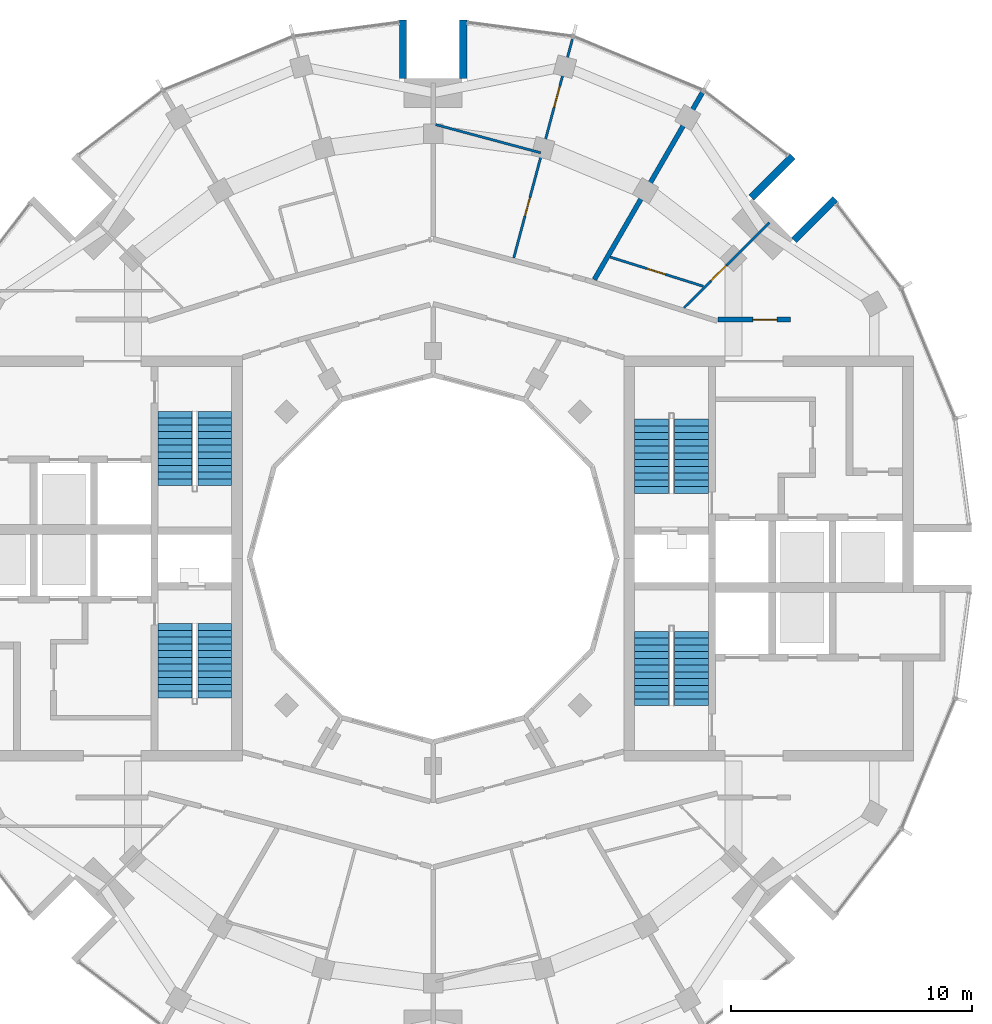
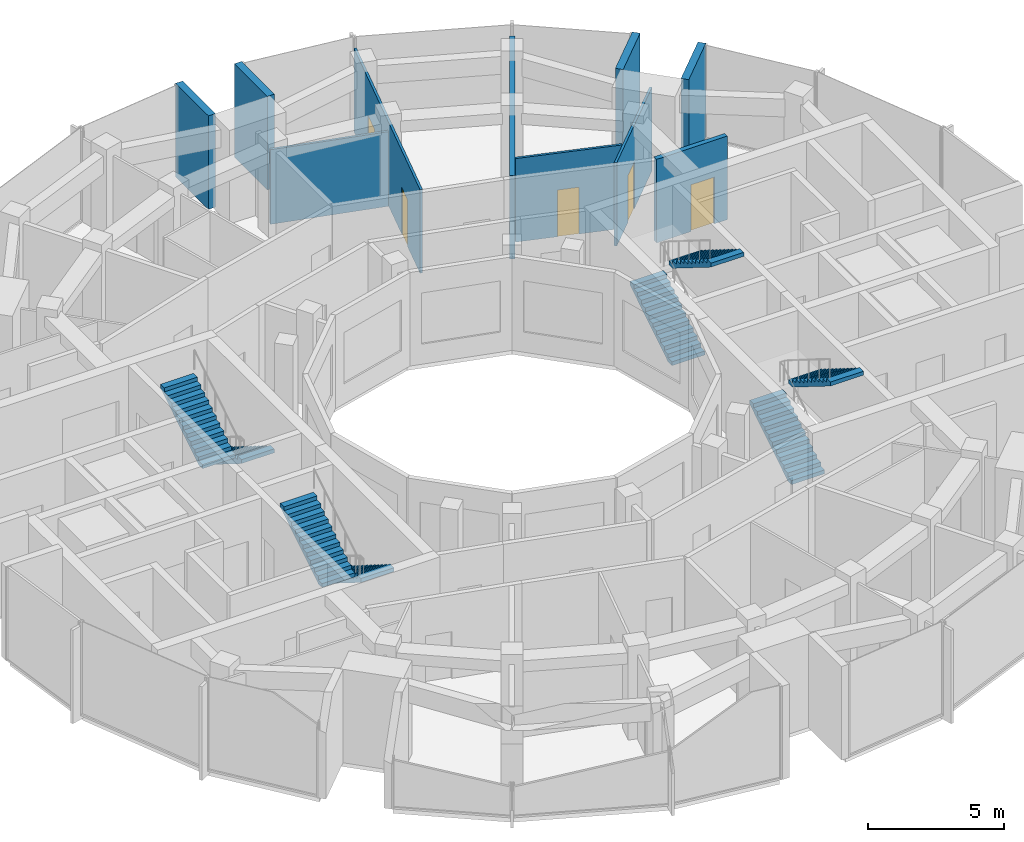
# One storey, part 12 of 14: 10 walls, 8 stair flights, 5 doors, 5 openings, 4 elements without a shape of their own.
"""IFC4 building model written with IfcOpenShell, lengths in metres."""

from ifc_helpers import new_model, si_unit, direction, frame, frame_2d, origin, place, context, subcontext, project, spatial, polyline, rectangle, outline, extrude, material, layer, layer_set, type_object, element, fill, aggregate, save


model = new_model("IFC4")

# Units and contexts
model_context = context("Model", 3, precision=1e-05, world=origin(), true_north=direction((0.0, 1.0)))
body_context = subcontext(model_context, "Body", "Model", "MODEL_VIEW")
ifc_project = project(units=[si_unit("LENGTHUNIT", "METRE"), si_unit("AREAUNIT", "SQUARE_METRE"), si_unit("VOLUMEUNIT", "CUBIC_METRE"), si_unit("PLANEANGLEUNIT", "RADIAN"), si_unit("MASSUNIT", "GRAM", prefix="KILO")], contexts=[model_context])

# Site, building, storey
site_placement = place(None, origin())
site = spatial("IfcSite", under=ifc_project, at=site_placement, CompositionType="ELEMENT")
building_placement = place(site_placement, origin())
building = spatial("IfcBuilding", under=site, at=building_placement, Name="Torre Brocal", CompositionType="ELEMENT")
storey_placement = place(building_placement, frame((0.0, 0.0, 305.10009765625)))
storey = spatial("IfcBuildingStorey", under=building, at=storey_placement, Name="L70", CompositionType="ELEMENT", Elevation=305.10009765625)

# Walls
ifc_material_1 = material(Name="Concrete C50", Category="concrete")
ifc_layer_1 = layer(ifc_material_1, 0.300048828125)
ifc_layer_set_1 = layer_set([ifc_layer_1], Name="Concrete C50")
wall_type_1 = type_object("IfcWallType", Name="NOTCH RETURN WALL 300 C50", PredefinedType="NOTDEFINED", material=ifc_layer_set_1)
for number, where, z_axis, x_axis, name in (
    (1, (94.955322265625, 88.1875, 0.0), (0.0, 0.0, 1.0), (0.707106781187, 0.707106781187, 0.0), "NOTCH RETURN WALL"),
    (2, (93.1875, 89.955322265625, 0.0), (0.0, 0.0, 1.0), (0.707106781187, 0.707106781187, 0.0), "NOTCH RETURN WALL"),
    (3, (81.25, 94.89990234375, 0.0), (0.0, 0.0, 1.0), (0.0, 1.0, 0.0), "NOTCH RETURN WALL"),
    (4, (78.75, 94.89990234375, 0.0), (0.0, 0.0, 1.0), (0.0, 1.0, 0.0), "NOTCH RETURN WALL"),
):
    element("IfcWall", number, at=place(storey_placement, frame(where, z_axis=z_axis, x_axis=x_axis)), inside=storey, type_object=wall_type_1, Name=name, PredefinedType="NOTDEFINED", context=body_context, shape_type="SweptSolid", body=[
        extrude(rectangle(XDim=2.415771484375, YDim=0.300048828125, at=frame_2d((1.2080078125, 0.0))), origin(), (0.0, 0.0, 1.0), 4.199951171875),
    ])

# Wall, openings, doors
ifc_material_2 = material(Name="Gypsum board", Category="Gypsum")
ifc_layer_2 = layer(ifc_material_2, 0.10009765625)
ifc_layer_set_2 = layer_set([ifc_layer_2], Name="Gypsum board")
wall_type_2 = type_object("IfcWallType", Name="PARTITION 100", PredefinedType="PARTITIONING", material=ifc_layer_set_2)
wall_1_placement = place(storey_placement, frame((83.3388671875, 87.45458984375, 0.0), z_axis=(0.0, 0.0, 1.0), x_axis=(0.258921222541, 0.965898442135, 0.0)))
wall_1 = element("IfcWall", 5, at=wall_1_placement, inside=storey, type_object=wall_type_2, Name="BATHROOM WALL", PredefinedType="PARTITIONING", context=body_context, shape_type="SweptSolid", body=[
    extrude(rectangle(XDim=9.40380859375, YDim=0.10009765625, at=frame_2d((4.701904296875, 0.0))), origin(), (0.0, 0.0, 1.0), 3.75),
])
opening_1_placement = place(wall_1_placement, frame((6.476318359375, 0.0, 0.0)))
opening_1 = element("IfcOpeningElement", 6, at=opening_1_placement, cuts=wall_1, Name="Opening N04-D05", PredefinedType="OPENING", context=body_context, shape_type="SweptSolid", body=[
    extrude(rectangle(XDim=0.89990234375, YDim=2.10009765625, at=frame_2d((0.449951171875, 1.050048828125))), frame((0.0, 0.06005859375, 0.0), z_axis=(0.0, -1.0, 0.0), x_axis=(1.0, 0.0, 0.0)), (0.0, 0.0, 1.0), 0.1201171875),
])
opening_2_placement = place(wall_1_placement, frame((1.79931640625, 0.0, 0.0)))
opening_2 = element("IfcOpeningElement", 7, at=opening_2_placement, cuts=wall_1, Name="Opening N04-D06", PredefinedType="OPENING", context=body_context, shape_type="SweptSolid", body=[
    extrude(rectangle(XDim=0.800048828125, YDim=2.10009765625, at=frame_2d((0.39990234375, 1.050048828125))), frame((0.0, 0.06005859375, 0.0), z_axis=(0.0, -1.0, 0.0), x_axis=(1.0, 0.0, 0.0)), (0.0, 0.0, 1.0), 0.1201171875),
])
ifc_material_3 = material(Name="Timber", Category="wood")
door_type_1 = type_object("IfcDoorType", Name="BATHROOM DOOR 800X2100", OperationType="SINGLE_SWING_LEFT", PredefinedType="DOOR", material=ifc_material_3)
door_1_placement = place(opening_2_placement, origin())
door_1 = element("IfcDoor", 8, at=door_1_placement, inside=storey, type_object=door_type_1, Name="N04-D06", OperationType="SINGLE_SWING_RIGHT", OverallHeight=2.10009765625, OverallWidth=0.800048828125, PredefinedType="DOOR", context=body_context, shape_type="SweptSolid", body=[
    extrude(rectangle(XDim=0.800048828125, YDim=2.10009765625, at=frame_2d((0.39990234375, 1.050048828125))), frame((0.0, 0.02490234375, 0.0), z_axis=(0.0, -1.0, 0.0), x_axis=(1.0, 0.0, 0.0)), (0.0, 0.0, 1.0), 0.050048828125),
])
fill(opening_2, door_1)
ifc_material_4 = material(Name="Timber", Category="wood")
door_type_2 = type_object("IfcDoorType", Name="ROOM DOOR 900X2100", OperationType="SINGLE_SWING_LEFT", PredefinedType="DOOR", material=ifc_material_4)
door_2_placement = place(opening_1_placement, origin())
door_2 = element("IfcDoor", 9, at=door_2_placement, inside=storey, type_object=door_type_2, Name="N04-D05", OperationType="SINGLE_SWING_RIGHT", OverallHeight=2.10009765625, OverallWidth=0.89990234375, PredefinedType="DOOR", context=body_context, shape_type="SweptSolid", body=[
    extrude(rectangle(XDim=0.89990234375, YDim=2.10009765625, at=frame_2d((0.449951171875, 1.050048828125))), frame((0.0, 0.02490234375, 0.0), z_axis=(0.0, -1.0, 0.0), x_axis=(1.0, 0.0, 0.0)), (0.0, 0.0, 1.0), 0.050048828125),
])
fill(opening_1, door_2)

# Wall, opening, door
wall_2_placement = place(storey_placement, frame((87.345458984375, 87.488037109375, 0.0), z_axis=(0.0, 0.0, 1.0), x_axis=(0.954151912322, -0.299322782647, 0.0)))
wall_2 = element("IfcWall", 10, at=wall_2_placement, inside=storey, type_object=wall_type_2, Name="BATHROOM WALL", PredefinedType="PARTITIONING", context=body_context, shape_type="SweptSolid", body=[
    extrude(rectangle(XDim=4.032470703125, YDim=0.10009765625, at=frame_2d((2.01611328125, 0.0))), origin(), (0.0, 0.0, 1.0), 3.75),
])
opening_3_placement = place(wall_2_placement, frame((1.59130859375, 0.0, 0.0)))
opening_3 = element("IfcOpeningElement", 11, at=opening_3_placement, cuts=wall_2, Name="Opening N04-D03", PredefinedType="OPENING", context=body_context, shape_type="SweptSolid", body=[
    extrude(rectangle(XDim=0.800048828125, YDim=2.10009765625, at=frame_2d((0.39990234375, 1.050048828125))), frame((0.0, 0.06005859375, 0.0), z_axis=(0.0, -1.0, 0.0), x_axis=(1.0, 0.0, 0.0)), (0.0, 0.0, 1.0), 0.1201171875),
])
door_3_placement = place(opening_3_placement, frame((0.800048828125, 0.0, 0.0), z_axis=(0.0, 0.0, 1.0), x_axis=(-1.0, 0.0, 0.0)))
door_3 = element("IfcDoor", 12, at=door_3_placement, inside=storey, type_object=door_type_1, Name="N04-D03", OperationType="SINGLE_SWING_LEFT", OverallHeight=2.10009765625, OverallWidth=0.800048828125, PredefinedType="DOOR", context=body_context, shape_type="SweptSolid", body=[
    extrude(rectangle(XDim=0.800048828125, YDim=2.10009765625, at=frame_2d((0.39990234375, 1.050048828125))), frame((0.0, 0.02490234375, 0.0), z_axis=(0.0, -1.0, 0.0), x_axis=(1.0, 0.0, 0.0)), (0.0, 0.0, 1.0), 0.050048828125),
])
fill(opening_3, door_3)

wall_3_placement = place(storey_placement, frame((90.397216796875, 85.392578125, 0.0), z_axis=(0.0, 0.0, 1.0), x_axis=(0.70720443438, 0.707009114505, 0.0)))
wall_3 = element("IfcWall", 13, at=wall_3_placement, inside=storey, type_object=wall_type_2, Name="BATHROOM WALL", PredefinedType="PARTITIONING", context=body_context, shape_type="SweptSolid", body=[
    extrude(rectangle(XDim=4.999755859375, YDim=0.10009765625, at=frame_2d((2.5, 0.0))), origin(), (0.0, 0.0, 1.0), 3.75),
])
opening_4_placement = place(wall_3_placement, frame((1.5751953125, 0.0, 0.0)))
opening_4 = element("IfcOpeningElement", 14, at=opening_4_placement, cuts=wall_3, Name="Opening N04-D02", PredefinedType="OPENING", context=body_context, shape_type="SweptSolid", body=[
    extrude(rectangle(XDim=0.89990234375, YDim=2.10009765625, at=frame_2d((0.449951171875, 1.050048828125))), frame((0.0, 0.06005859375, 0.0), z_axis=(0.0, -1.0, 0.0), x_axis=(1.0, 0.0, 0.0)), (0.0, 0.0, 1.0), 0.1201171875),
])
door_4_placement = place(opening_4_placement, frame((0.89990234375, 0.0, 0.0), z_axis=(0.0, 0.0, 1.0), x_axis=(-1.0, 0.0, 0.0)))
door_4 = element("IfcDoor", 15, at=door_4_placement, inside=storey, type_object=door_type_2, Name="N04-D02", OperationType="SINGLE_SWING_LEFT", OverallHeight=2.10009765625, OverallWidth=0.89990234375, PredefinedType="DOOR", context=body_context, shape_type="SweptSolid", body=[
    extrude(rectangle(XDim=0.89990234375, YDim=2.10009765625, at=frame_2d((0.449951171875, 1.050048828125))), frame((0.0, 0.02490234375, 0.0), z_axis=(0.0, -1.0, 0.0), x_axis=(1.0, 0.0, 0.0)), (0.0, 0.0, 1.0), 0.050048828125),
])
fill(opening_4, door_4)

# Walls
ifc_material_5 = material(Name="Gypsum board", Category="Gypsum")
ifc_layer_3 = layer(ifc_material_5, 0.10009765625)
ifc_layer_set_3 = layer_set([ifc_layer_3], Name="Gypsum board")
wall_type_3 = type_object("IfcWallType", Name="PARTITION 100 UNDER BEAM 850", PredefinedType="PARTITIONING", material=ifc_layer_set_3)
wall_4_placement = place(storey_placement, frame((80.106201171875, 92.98046875, 0.0), z_axis=(0.0, 0.0, 1.0), x_axis=(0.965835883926, -0.259154481575, 0.0)))
element("IfcWall", 16, at=wall_4_placement, inside=storey, type_object=wall_type_3, Name="BATHROOM WALL", PredefinedType="PARTITIONING", context=body_context, shape_type="SweptSolid", body=[
    extrude(rectangle(XDim=4.501220703125, YDim=0.10009765625, at=frame_2d((2.25048828125, 0.0))), origin(), (0.0, 0.0, 1.0), 3.349853515625),
])
ifc_material_6 = material(Name="Gypsum board", Category="Gypsum")
ifc_layer_4 = layer(ifc_material_6, 0.199951171875)
ifc_layer_set_4 = layer_set([ifc_layer_4], Name="Gypsum board")
wall_type_4 = type_object("IfcWallType", Name="PARTITION 200 EI60", PredefinedType="PARTITIONING", material=ifc_layer_set_4)
wall_5_placement = place(storey_placement, frame((86.680908203125, 86.56005859375, 0.0), z_axis=(0.0, 0.0, 1.0), x_axis=(0.500262593568, 0.865873742226, 0.0)))
element("IfcWall", 17, at=wall_5_placement, inside=storey, type_object=wall_type_4, Name="BATHROOM WALL", PredefinedType="PARTITIONING", context=body_context, shape_type="SweptSolid", body=[
    extrude(rectangle(XDim=8.946044921875, YDim=0.199951171875, at=frame_2d((4.47314453125, 0.0))), origin(), (0.0, 0.0, 1.0), 3.75),
])

# Wall, opening, door
wall_6_placement = place(storey_placement, frame((91.800048828125, 84.89990234375, 0.0), z_axis=(0.0, 0.0, 1.0), x_axis=(1.0, 0.0, 0.0)))
wall_6 = element("IfcWall", 18, at=wall_6_placement, inside=storey, type_object=wall_type_4, Name="FLAT ENTRANCE WALL", PredefinedType="PARTITIONING", context=body_context, shape_type="SweptSolid", body=[
    extrude(rectangle(XDim=3.0, YDim=0.199951171875, at=frame_2d((1.5, 0.0))), origin(), (0.0, 0.0, 1.0), 3.75),
])
opening_5_placement = place(wall_6_placement, frame((1.449951171875, 0.0, 0.0)))
opening_5 = element("IfcOpeningElement", 19, at=opening_5_placement, cuts=wall_6, Name="Opening N04-D01", PredefinedType="OPENING", context=body_context, shape_type="SweptSolid", body=[
    extrude(rectangle(XDim=1.0, YDim=2.10009765625, at=frame_2d((0.5, 1.050048828125))), frame((0.0, 0.10986328125, 0.0), z_axis=(0.0, -1.0, 0.0), x_axis=(1.0, 0.0, 0.0)), (0.0, 0.0, 1.0), 0.219970703125),
])
ifc_material_7 = material(Name="Timber", Category="wood")
door_type_3 = type_object("IfcDoorType", Name="FLAT ENTRY DOOR FD30S 1000X2100", OperationType="SINGLE_SWING_RIGHT", PredefinedType="DOOR", material=ifc_material_7)
door_5_placement = place(opening_5_placement, origin())
door_5 = element("IfcDoor", 20, at=door_5_placement, inside=storey, type_object=door_type_3, Name="N04-D01", OperationType="SINGLE_SWING_LEFT", OverallHeight=2.10009765625, OverallWidth=1.0, PredefinedType="DOOR", context=body_context, shape_type="SweptSolid", body=[
    extrude(rectangle(XDim=1.0, YDim=2.10009765625, at=frame_2d((0.5, 1.050048828125))), frame((0.0, 0.02490234375, 0.0), z_axis=(0.0, -1.0, 0.0), x_axis=(1.0, 0.0, 0.0)), (0.0, 0.0, 1.0), 0.050048828125),
])
fill(opening_5, door_5)

# Stair, stair flights
ifc_material_8 = material(Name="Concrete C50", Category="concrete")
stair_type = type_object("IfcStairType", Name="EXIT STAIR", PredefinedType="HALF_TURN_STAIR", material=ifc_material_8)
stair_1_placement = place(storey_placement, origin())
stair_1 = element("IfcStair", 21, at=stair_1_placement, inside=storey, type_object=stair_type, Name="EXIT STAIR ST1", PredefinedType="HALF_TURN_STAIR")
ifc_material_9 = material(Name="Concrete C50", Category="concrete")
ifc_layer_5 = layer(ifc_material_9, 0.14990234375)
ifc_layer_set_5 = layer_set([ifc_layer_5], Name="Concrete C50")
stair_flight_type = type_object("IfcStairFlightType", Name="STAIR FLIGHT", PredefinedType="STRAIGHT", material=ifc_layer_set_5)
stair_flight_1_placement = place(storey_placement, frame((89.050048828125, 77.699951171875, 0.0), z_axis=(0.0, 0.0, 1.0), x_axis=(0.0, 1.0, 0.0)))
stair_flight_1 = element("IfcStairFlight", 22, at=stair_flight_1_placement, type_object=stair_flight_type, Name="ST1 flight 1", NumberOfRisers=12, NumberOfTreads=11, PredefinedType="STRAIGHT", RiserHeight=0.175, TreadLength=0.28, context=body_context, shape_type="SweptSolid", body=[
    extrude(outline(polyline([(0.0, 0.0), (0.0, 0.175048828125), (0.280029296875, 0.175048828125), (0.280029296875, 0.35009765625), (0.56005859375, 0.35009765625), (0.56005859375, 0.52490234375), (0.840087890625, 0.52490234375), (0.840087890625, 0.699951171875), (1.1201171875, 0.699951171875), (1.1201171875, 0.875), (1.39990234375, 0.875), (1.39990234375, 1.050048828125), (1.679931640625, 1.050048828125), (1.679931640625, 1.22509765625), (1.9599609375, 1.22509765625), (1.9599609375, 1.39990234375), (2.239990234375, 1.39990234375), (2.239990234375, 1.574951171875), (2.52001953125, 1.574951171875), (2.52001953125, 1.75), (2.800048828125, 1.75), (2.800048828125, 1.925048828125), (3.080078125, 1.925048828125), (3.080078125, 2.10009765625), (3.080078125, 1.748291015625), (0.28271484375, 0.0), (0.0, 0.0)])), frame((0.0, 0.699951171875, 0.0), z_axis=(0.0, -1.0, 0.0), x_axis=(1.0, 0.0, 0.0)), (0.0, 0.0, 1.0), 1.39990234375),
])
stair_flight_2_placement = place(storey_placement, frame((90.699951171875, 80.780029296875, 2.099853515625), z_axis=(0.0, 0.0, 1.0), x_axis=(0.0, -1.0, 0.0)))
stair_flight_2 = element("IfcStairFlight", 23, at=stair_flight_2_placement, type_object=stair_flight_type, Name="ST1 flight 2", NumberOfRisers=12, NumberOfTreads=11, PredefinedType="STRAIGHT", RiserHeight=0.175, TreadLength=0.28, context=body_context, shape_type="SweptSolid", body=[
    extrude(outline(polyline([(0.0, 0.0), (0.0, 0.175048828125), (0.280029296875, 0.175048828125), (0.280029296875, 0.35009765625), (0.56005859375, 0.35009765625), (0.56005859375, 0.52490234375), (0.840087890625, 0.52490234375), (0.840087890625, 0.699951171875), (1.1201171875, 0.699951171875), (1.1201171875, 0.875), (1.39990234375, 0.875), (1.39990234375, 1.050048828125), (1.679931640625, 1.050048828125), (1.679931640625, 1.22509765625), (1.9599609375, 1.22509765625), (1.9599609375, 1.39990234375), (2.239990234375, 1.39990234375), (2.239990234375, 1.574951171875), (2.52001953125, 1.574951171875), (2.52001953125, 1.75), (2.800048828125, 1.75), (2.800048828125, 1.925048828125), (3.080078125, 1.925048828125), (3.080078125, 2.10009765625), (3.080078125, 1.748291015625), (0.28271484375, 0.0), (0.0, 0.0)])), frame((0.0, 0.699951171875, 0.0), z_axis=(0.0, -1.0, 0.0), x_axis=(1.0, 0.0, 0.0)), (0.0, 0.0, 1.0), 1.39990234375),
])
aggregate(stair_1, [stair_flight_1, stair_flight_2])

stair_2_placement = place(storey_placement, origin())
stair_2 = element("IfcStair", 24, at=stair_2_placement, inside=storey, type_object=stair_type, Name="EXIT STAIR ST2", PredefinedType="HALF_TURN_STAIR")
stair_flight_3_placement = place(storey_placement, frame((89.050048828125, 68.89990234375, 0.0), z_axis=(0.0, 0.0, 1.0), x_axis=(0.0, 1.0, 0.0)))
stair_flight_3 = element("IfcStairFlight", 25, at=stair_flight_3_placement, type_object=stair_flight_type, Name="ST2 flight 1", NumberOfRisers=12, NumberOfTreads=11, PredefinedType="STRAIGHT", RiserHeight=0.175, TreadLength=0.28, context=body_context, shape_type="SweptSolid", body=[
    extrude(outline(polyline([(0.0, 0.0), (0.0, 0.175048828125), (0.280029296875, 0.175048828125), (0.280029296875, 0.35009765625), (0.56005859375, 0.35009765625), (0.56005859375, 0.52490234375), (0.840087890625, 0.52490234375), (0.840087890625, 0.699951171875), (1.1201171875, 0.699951171875), (1.1201171875, 0.875), (1.39990234375, 0.875), (1.39990234375, 1.050048828125), (1.679931640625, 1.050048828125), (1.679931640625, 1.22509765625), (1.9599609375, 1.22509765625), (1.9599609375, 1.39990234375), (2.239990234375, 1.39990234375), (2.239990234375, 1.574951171875), (2.52001953125, 1.574951171875), (2.52001953125, 1.75), (2.800048828125, 1.75), (2.800048828125, 1.925048828125), (3.080078125, 1.925048828125), (3.080078125, 2.10009765625), (3.080078125, 1.748291015625), (0.28271484375, 0.0), (0.0, 0.0)])), frame((0.0, 0.699951171875, 0.0), z_axis=(0.0, -1.0, 0.0), x_axis=(1.0, 0.0, 0.0)), (0.0, 0.0, 1.0), 1.39990234375),
])
stair_flight_4_placement = place(storey_placement, frame((90.699951171875, 71.97998046875, 2.099853515625), z_axis=(0.0, 0.0, 1.0), x_axis=(0.0, -1.0, 0.0)))
stair_flight_4 = element("IfcStairFlight", 26, at=stair_flight_4_placement, type_object=stair_flight_type, Name="ST2 flight 2", NumberOfRisers=12, NumberOfTreads=11, PredefinedType="STRAIGHT", RiserHeight=0.175, TreadLength=0.28, context=body_context, shape_type="SweptSolid", body=[
    extrude(outline(polyline([(0.0, 0.0), (0.0, 0.175048828125), (0.280029296875, 0.175048828125), (0.280029296875, 0.35009765625), (0.56005859375, 0.35009765625), (0.56005859375, 0.52490234375), (0.840087890625, 0.52490234375), (0.840087890625, 0.699951171875), (1.1201171875, 0.699951171875), (1.1201171875, 0.875), (1.39990234375, 0.875), (1.39990234375, 1.050048828125), (1.679931640625, 1.050048828125), (1.679931640625, 1.22509765625), (1.9599609375, 1.22509765625), (1.9599609375, 1.39990234375), (2.239990234375, 1.39990234375), (2.239990234375, 1.574951171875), (2.52001953125, 1.574951171875), (2.52001953125, 1.75), (2.800048828125, 1.75), (2.800048828125, 1.925048828125), (3.080078125, 1.925048828125), (3.080078125, 2.10009765625), (3.080078125, 1.748291015625), (0.28271484375, 0.0), (0.0, 0.0)])), frame((0.0, 0.699951171875, 0.0), z_axis=(0.0, -1.0, 0.0), x_axis=(1.0, 0.0, 0.0)), (0.0, 0.0, 1.0), 1.39990234375),
])
aggregate(stair_2, [stair_flight_3, stair_flight_4])

stair_3_placement = place(storey_placement, origin())
stair_3 = element("IfcStair", 27, at=stair_3_placement, inside=storey, type_object=stair_type, Name="EXIT STAIR ST3", PredefinedType="HALF_TURN_STAIR")
stair_flight_5_placement = place(storey_placement, frame((70.949951171875, 72.300048828125, 0.0), z_axis=(0.0, 0.0, 1.0), x_axis=(0.0, -1.0, 0.0)))
stair_flight_5 = element("IfcStairFlight", 28, at=stair_flight_5_placement, type_object=stair_flight_type, Name="ST3 flight 1", NumberOfRisers=12, NumberOfTreads=11, PredefinedType="STRAIGHT", RiserHeight=0.175, TreadLength=0.28, context=body_context, shape_type="SweptSolid", body=[
    extrude(outline(polyline([(0.0, 0.0), (0.0, 0.175048828125), (0.280029296875, 0.175048828125), (0.280029296875, 0.35009765625), (0.56005859375, 0.35009765625), (0.56005859375, 0.52490234375), (0.840087890625, 0.52490234375), (0.840087890625, 0.699951171875), (1.1201171875, 0.699951171875), (1.1201171875, 0.875), (1.39990234375, 0.875), (1.39990234375, 1.050048828125), (1.679931640625, 1.050048828125), (1.679931640625, 1.22509765625), (1.9599609375, 1.22509765625), (1.9599609375, 1.39990234375), (2.239990234375, 1.39990234375), (2.239990234375, 1.574951171875), (2.52001953125, 1.574951171875), (2.52001953125, 1.75), (2.800048828125, 1.75), (2.800048828125, 1.925048828125), (3.080078125, 1.925048828125), (3.080078125, 2.10009765625), (3.080078125, 1.748291015625), (0.28271484375, 0.0), (0.0, 0.0)])), frame((0.0, 0.699951171875, 0.0), z_axis=(0.0, -1.0, 0.0), x_axis=(1.0, 0.0, 0.0)), (0.0, 0.0, 1.0), 1.39990234375),
])
stair_flight_6_placement = place(storey_placement, frame((69.300048828125, 69.219970703125, 2.099853515625), z_axis=(0.0, 0.0, 1.0), x_axis=(0.0, 1.0, 0.0)))
stair_flight_6 = element("IfcStairFlight", 29, at=stair_flight_6_placement, type_object=stair_flight_type, Name="ST3 flight 2", NumberOfRisers=12, NumberOfTreads=11, PredefinedType="STRAIGHT", RiserHeight=0.175, TreadLength=0.28, context=body_context, shape_type="SweptSolid", body=[
    extrude(outline(polyline([(0.0, 0.0), (0.0, 0.175048828125), (0.280029296875, 0.175048828125), (0.280029296875, 0.35009765625), (0.56005859375, 0.35009765625), (0.56005859375, 0.52490234375), (0.840087890625, 0.52490234375), (0.840087890625, 0.699951171875), (1.1201171875, 0.699951171875), (1.1201171875, 0.875), (1.39990234375, 0.875), (1.39990234375, 1.050048828125), (1.679931640625, 1.050048828125), (1.679931640625, 1.22509765625), (1.9599609375, 1.22509765625), (1.9599609375, 1.39990234375), (2.239990234375, 1.39990234375), (2.239990234375, 1.574951171875), (2.52001953125, 1.574951171875), (2.52001953125, 1.75), (2.800048828125, 1.75), (2.800048828125, 1.925048828125), (3.080078125, 1.925048828125), (3.080078125, 2.10009765625), (3.080078125, 1.748291015625), (0.28271484375, 0.0), (0.0, 0.0)])), frame((0.0, 0.699951171875, 0.0), z_axis=(0.0, -1.0, 0.0), x_axis=(1.0, 0.0, 0.0)), (0.0, 0.0, 1.0), 1.39990234375),
])
aggregate(stair_3, [stair_flight_5, stair_flight_6])

stair_4_placement = place(storey_placement, origin())
stair_4 = element("IfcStair", 30, at=stair_4_placement, inside=storey, type_object=stair_type, Name="EXIT STAIR ST4", PredefinedType="HALF_TURN_STAIR")
stair_flight_7_placement = place(storey_placement, frame((70.949951171875, 81.10009765625, 0.0), z_axis=(0.0, 0.0, 1.0), x_axis=(0.0, -1.0, 0.0)))
stair_flight_7 = element("IfcStairFlight", 31, at=stair_flight_7_placement, type_object=stair_flight_type, Name="ST4 flight 1", NumberOfRisers=12, NumberOfTreads=11, PredefinedType="STRAIGHT", RiserHeight=0.175, TreadLength=0.28, context=body_context, shape_type="SweptSolid", body=[
    extrude(outline(polyline([(0.0, 0.0), (0.0, 0.175048828125), (0.280029296875, 0.175048828125), (0.280029296875, 0.35009765625), (0.56005859375, 0.35009765625), (0.56005859375, 0.52490234375), (0.840087890625, 0.52490234375), (0.840087890625, 0.699951171875), (1.1201171875, 0.699951171875), (1.1201171875, 0.875), (1.39990234375, 0.875), (1.39990234375, 1.050048828125), (1.679931640625, 1.050048828125), (1.679931640625, 1.22509765625), (1.9599609375, 1.22509765625), (1.9599609375, 1.39990234375), (2.239990234375, 1.39990234375), (2.239990234375, 1.574951171875), (2.52001953125, 1.574951171875), (2.52001953125, 1.75), (2.800048828125, 1.75), (2.800048828125, 1.925048828125), (3.080078125, 1.925048828125), (3.080078125, 2.10009765625), (3.080078125, 1.748291015625), (0.28271484375, 0.0), (0.0, 0.0)])), frame((0.0, 0.699951171875, 0.0), z_axis=(0.0, -1.0, 0.0), x_axis=(1.0, 0.0, 0.0)), (0.0, 0.0, 1.0), 1.39990234375),
])
stair_flight_8_placement = place(storey_placement, frame((69.300048828125, 78.02001953125, 2.099853515625), z_axis=(0.0, 0.0, 1.0), x_axis=(0.0, 1.0, 0.0)))
stair_flight_8 = element("IfcStairFlight", 32, at=stair_flight_8_placement, type_object=stair_flight_type, Name="ST4 flight 2", NumberOfRisers=12, NumberOfTreads=11, PredefinedType="STRAIGHT", RiserHeight=0.175, TreadLength=0.28, context=body_context, shape_type="SweptSolid", body=[
    extrude(outline(polyline([(0.0, 0.0), (0.0, 0.175048828125), (0.280029296875, 0.175048828125), (0.280029296875, 0.35009765625), (0.56005859375, 0.35009765625), (0.56005859375, 0.52490234375), (0.840087890625, 0.52490234375), (0.840087890625, 0.699951171875), (1.1201171875, 0.699951171875), (1.1201171875, 0.875), (1.39990234375, 0.875), (1.39990234375, 1.050048828125), (1.679931640625, 1.050048828125), (1.679931640625, 1.22509765625), (1.9599609375, 1.22509765625), (1.9599609375, 1.39990234375), (2.239990234375, 1.39990234375), (2.239990234375, 1.574951171875), (2.52001953125, 1.574951171875), (2.52001953125, 1.75), (2.800048828125, 1.75), (2.800048828125, 1.925048828125), (3.080078125, 1.925048828125), (3.080078125, 2.10009765625), (3.080078125, 1.748291015625), (0.28271484375, 0.0), (0.0, 0.0)])), frame((0.0, 0.699951171875, 0.0), z_axis=(0.0, -1.0, 0.0), x_axis=(1.0, 0.0, 0.0)), (0.0, 0.0, 1.0), 1.39990234375),
])
aggregate(stair_4, [stair_flight_7, stair_flight_8])

save(model, "model.ifc")
